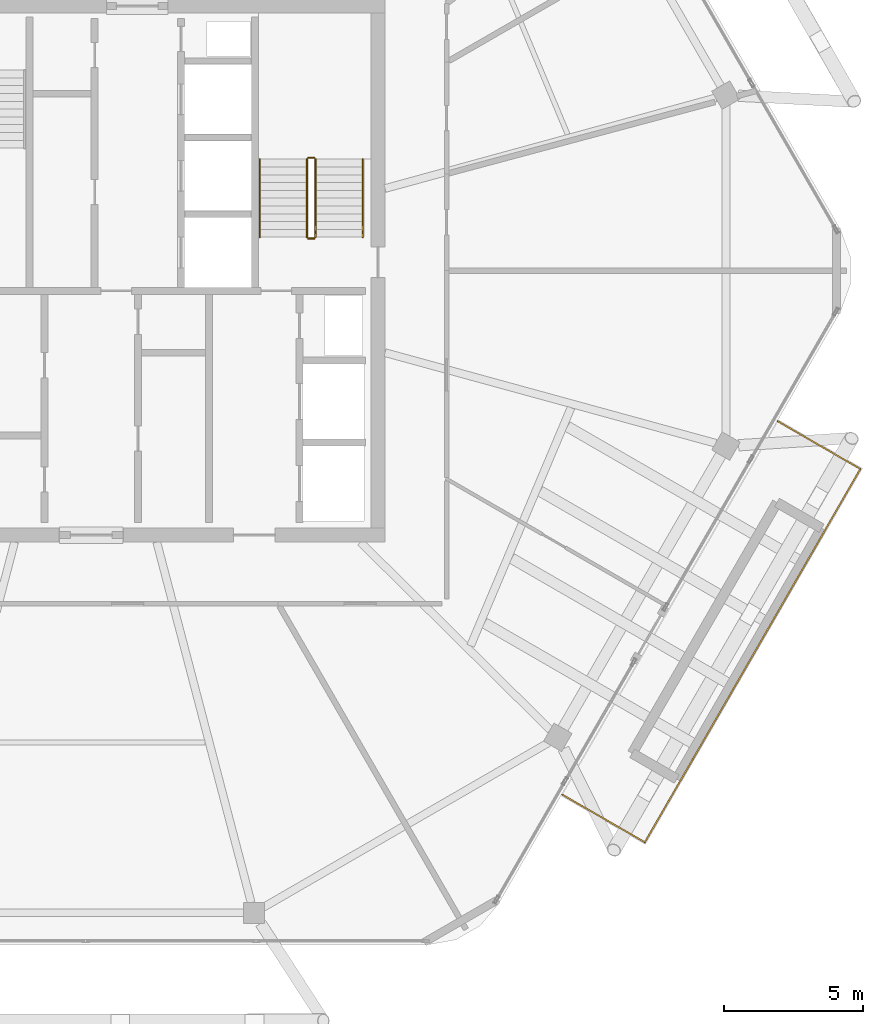
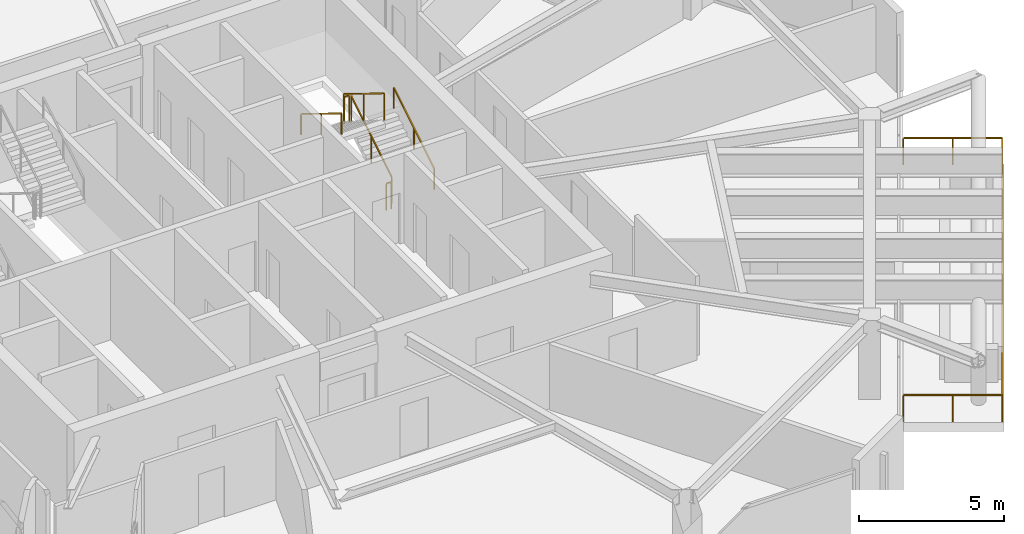
# One storey, part 22 of 23: 7 railings.
"""IFC4 building model written with IfcOpenShell, lengths in metres."""

from ifc_helpers import new_model, si_unit, direction, frame, origin, origin_2d, place, context, subcontext, project, spatial, rectangle, extrude, material, type_object, element, save


model = new_model("IFC4")

# Units and contexts
model_context = context("Model", 3, precision=1e-05, world=origin(), true_north=direction((0.0, 1.0)))
body_context = subcontext(model_context, "Body", "Model", "MODEL_VIEW")
ifc_project = project(units=[si_unit("LENGTHUNIT", "METRE"), si_unit("AREAUNIT", "SQUARE_METRE"), si_unit("VOLUMEUNIT", "CUBIC_METRE"), si_unit("PLANEANGLEUNIT", "RADIAN"), si_unit("MASSUNIT", "GRAM", prefix="KILO")], contexts=[model_context])

# Site, building, storey
site_placement = place(None, origin())
site = spatial("IfcSite", under=ifc_project, at=site_placement, CompositionType="ELEMENT")
building_placement = place(site_placement, origin())
building = spatial("IfcBuilding", under=site, at=building_placement, Name="Zuhravey Tower", CompositionType="ELEMENT")
storey_placement = place(building_placement, frame((0.0, 0.0, 353.800048828125)))
storey = spatial("IfcBuildingStorey", under=building, at=storey_placement, Name="L90", CompositionType="ELEMENT", Elevation=353.800048828125)

# Railings
ifc_material_1 = material(Name="Stainless steel 316 and laminated glass", Category="steel")
railing_type_1 = type_object("IfcRailingType", Name="Balcony & Terrace Guardrail 1150", PredefinedType="BALUSTRADE", material=ifc_material_1)
railing_1_placement = place(storey_placement, frame((53.113037109375, 13.182373046875, 0.0)))
element("IfcRailing", 1, at=railing_1_placement, inside=storey, type_object=railing_type_1, Name="L90 Sky-Pool Terrace Guardrail GR1", PredefinedType="BALUSTRADE", context=body_context, shape_type="SweptSolid", body=[
    extrude(rectangle(XDim=0.048095703125, YDim=0.048095703125, at=origin_2d()), frame((0.001708984375, -0.0009765625, 1.1259765625), z_axis=(0.866032454348, -0.499987787867, 0.0), x_axis=(0.499987787867, 0.866032454348, 0.0)), (0.0, 0.0, 1.0), 3.4208984375),
    extrude(rectangle(XDim=0.048095703125, YDim=0.048095703125, at=origin_2d()), frame((2.967041015625, -1.710693359375, 1.1259765625), z_axis=(0.500001411958, 0.866024588589, 0.0), x_axis=(-0.866024588589, 0.500001411958, 0.0)), (0.0, 0.0, 1.0), 15.475830078125),
    extrude(rectangle(XDim=0.048095703125, YDim=0.048095703125, at=origin_2d()), frame((10.704345703125, 11.694580078125, 1.1259765625), z_axis=(-0.866032454348, 0.499987787867, 0.0), x_axis=(-0.499987787867, -0.866032454348, 0.0)), (0.0, 0.0, 1.0), 3.4208984375),
    extrude(rectangle(XDim=0.0419921875, YDim=0.0419921875, at=origin_2d()), origin(), (0.0, 0.0, 1.0), 1.099853515625),
    extrude(rectangle(XDim=0.0419921875, YDim=0.0419921875, at=origin_2d()), frame((1.48291015625, -0.856201171875, 0.0)), (0.0, 0.0, 1.0), 1.099853515625),
    extrude(rectangle(XDim=0.0419921875, YDim=0.0419921875, at=origin_2d()), frame((2.966064453125, -1.71240234375, 0.0)), (0.0, 0.0, 1.0), 1.099853515625),
    extrude(rectangle(XDim=0.0419921875, YDim=0.0419921875, at=origin_2d()), frame((3.826171875, -0.222900390625, 0.0)), (0.0, 0.0, 1.0), 1.099853515625),
    extrude(rectangle(XDim=0.0419921875, YDim=0.0419921875, at=origin_2d()), frame((4.68603515625, 1.2666015625, 0.0)), (0.0, 0.0, 1.0), 1.099853515625),
    extrude(rectangle(XDim=0.0419921875, YDim=0.0419921875, at=origin_2d()), frame((5.546142578125, 2.75634765625, 0.0)), (0.0, 0.0, 1.0), 1.099853515625),
    extrude(rectangle(XDim=0.0419921875, YDim=0.0419921875, at=origin_2d()), frame((6.406005859375, 4.245849609375, 0.0)), (0.0, 0.0, 1.0), 1.099853515625),
    extrude(rectangle(XDim=0.0419921875, YDim=0.0419921875, at=origin_2d()), frame((7.26611328125, 5.7353515625, 0.0)), (0.0, 0.0, 1.0), 1.099853515625),
    extrude(rectangle(XDim=0.0419921875, YDim=0.0419921875, at=origin_2d()), frame((8.1259765625, 7.224853515625, 0.0)), (0.0, 0.0, 1.0), 1.099853515625),
    extrude(rectangle(XDim=0.0419921875, YDim=0.0419921875, at=origin_2d()), frame((8.986083984375, 8.714599609375, 0.0)), (0.0, 0.0, 1.0), 1.099853515625),
    extrude(rectangle(XDim=0.0419921875, YDim=0.0419921875, at=origin_2d()), frame((9.845947265625, 10.2041015625, 0.0)), (0.0, 0.0, 1.0), 1.099853515625),
    extrude(rectangle(XDim=0.0419921875, YDim=0.0419921875, at=origin_2d()), frame((10.7060546875, 11.693603515625, 0.0)), (0.0, 0.0, 1.0), 1.099853515625),
    extrude(rectangle(XDim=0.0419921875, YDim=0.0419921875, at=origin_2d()), frame((9.22314453125, 12.5498046875, 0.0)), (0.0, 0.0, 1.0), 1.099853515625),
    extrude(rectangle(XDim=0.0419921875, YDim=0.0419921875, at=origin_2d()), frame((7.739990234375, 13.406005859375, 0.0)), (0.0, 0.0, 1.0), 1.099853515625),
])
ifc_material_2 = material(Name="Brushed stainless steel", Category="steel")
railing_type_2 = type_object("IfcRailingType", Name="Stair Wall Handrail 900", PredefinedType="HANDRAIL", material=ifc_material_2)
railing_2_placement = place(storey_placement, frame((45.949951171875, 33.199951171875, 0.172607421875)))
element("IfcRailing", 2, at=railing_2_placement, inside=storey, type_object=railing_type_2, Name="L90 ST2 stair handrail 1", PredefinedType="HANDRAIL", context=body_context, shape_type="SweptSolid", body=[
    extrude(rectangle(XDim=0.048095703125, YDim=0.048095703125, at=origin_2d()), frame((0.0, 0.001708984375, 0.876953125), z_axis=(0.0, 0.851089632645, 0.525020415988), x_axis=(-1.0, 0.0, 0.0)), (0.0, 0.0, 1.0), 3.285888671875),
    extrude(rectangle(XDim=0.0419921875, YDim=0.0419921875, at=origin_2d()), origin(), (0.0, 0.0, 1.0), 0.849853515625),
    extrude(rectangle(XDim=0.0419921875, YDim=0.0419921875, at=origin_2d()), frame((0.0, 1.39990234375, 0.86376953125)), (0.0, 0.0, 1.0), 0.849853515625),
    extrude(rectangle(XDim=0.0419921875, YDim=0.0419921875, at=origin_2d()), frame((0.0, 2.800048828125, 1.727294921875)), (0.0, 0.0, 1.0), 0.849853515625),
])
railing_3_placement = place(storey_placement, frame((42.25, 36.0, 2.07275390625)))
element("IfcRailing", 3, at=railing_3_placement, inside=storey, type_object=railing_type_2, Name="L90 ST2 stair handrail 2", PredefinedType="HANDRAIL", context=body_context, shape_type="SweptSolid", body=[
    extrude(rectangle(XDim=0.048095703125, YDim=0.048095703125, at=origin_2d()), frame((0.0, -0.001708984375, 0.876953125), z_axis=(0.0, -0.851089632645, 0.525020415988), x_axis=(1.0, 0.0, 0.0)), (0.0, 0.0, 1.0), 3.285888671875),
    extrude(rectangle(XDim=0.0419921875, YDim=0.0419921875, at=origin_2d()), origin(), (0.0, 0.0, 1.0), 0.849853515625),
    extrude(rectangle(XDim=0.0419921875, YDim=0.0419921875, at=origin_2d()), frame((0.0, -1.39990234375, 0.86376953125)), (0.0, 0.0, 1.0), 0.849853515625),
    extrude(rectangle(XDim=0.0419921875, YDim=0.0419921875, at=origin_2d()), frame((0.0, -2.800048828125, 1.727294921875)), (0.0, 0.0, 1.0), 0.849853515625),
])
ifc_material_3 = material(Name="Painted tubular steel", Category="steel")
railing_type_3 = type_object("IfcRailingType", Name="Stair Well Guardrail 1150", PredefinedType="GUARDRAIL", material=ifc_material_3)
railing_4_placement = place(storey_placement, frame((44.25, 33.199951171875, 0.172607421875)))
element("IfcRailing", 4, at=railing_4_placement, inside=storey, type_object=railing_type_3, Name="L90 ST2 stair guard 1", PredefinedType="GUARDRAIL", context=body_context, shape_type="SweptSolid", body=[
    extrude(rectangle(XDim=0.048095703125, YDim=0.048095703125, at=origin_2d()), frame((0.0, 0.001708984375, 1.126953125), z_axis=(0.0, 0.851089632645, 0.525020415988), x_axis=(-1.0, 0.0, 0.0)), (0.0, 0.0, 1.0), 3.285888671875),
    extrude(rectangle(XDim=0.0419921875, YDim=0.0419921875, at=origin_2d()), origin(), (0.0, 0.0, 1.0), 1.099853515625),
    extrude(rectangle(XDim=0.0419921875, YDim=0.0419921875, at=origin_2d()), frame((0.0, 1.39990234375, 0.86376953125)), (0.0, 0.0, 1.0), 1.099853515625),
    extrude(rectangle(XDim=0.0419921875, YDim=0.0419921875, at=origin_2d()), frame((0.0, 2.800048828125, 1.727294921875)), (0.0, 0.0, 1.0), 1.099853515625),
])
railing_5_placement = place(storey_placement, frame((44.199951171875, 36.050048828125, 1.89990234375)))
element("IfcRailing", 5, at=railing_5_placement, inside=storey, type_object=railing_type_3, Name="L90 ST2 stair guard 2", PredefinedType="GUARDRAIL", context=body_context, shape_type="SweptSolid", body=[
    extrude(rectangle(XDim=0.048095703125, YDim=0.048095703125, at=origin_2d()), frame((-0.001953125, 0.0, 1.1259765625), z_axis=(-1.0, 0.0, 0.0), x_axis=(0.0, -1.0, 0.0)), (0.0, 0.0, 1.0), 0.196044921875),
    extrude(rectangle(XDim=0.0419921875, YDim=0.0419921875, at=origin_2d()), origin(), (0.0, 0.0, 1.0), 1.099853515625),
    extrude(rectangle(XDim=0.0419921875, YDim=0.0419921875, at=origin_2d()), frame((-0.199951171875, 0.0, 0.0)), (0.0, 0.0, 1.0), 1.099853515625),
])
railing_6_placement = place(storey_placement, frame((43.949951171875, 36.0, 2.07275390625)))
element("IfcRailing", 6, at=railing_6_placement, inside=storey, type_object=railing_type_3, Name="L90 ST2 stair guard 3", PredefinedType="GUARDRAIL", context=body_context, shape_type="SweptSolid", body=[
    extrude(rectangle(XDim=0.048095703125, YDim=0.048095703125, at=origin_2d()), frame((0.0, -0.001708984375, 1.126953125), z_axis=(0.0, -0.851089632645, 0.525020415988), x_axis=(1.0, 0.0, 0.0)), (0.0, 0.0, 1.0), 3.285888671875),
    extrude(rectangle(XDim=0.0419921875, YDim=0.0419921875, at=origin_2d()), origin(), (0.0, 0.0, 1.0), 1.099853515625),
    extrude(rectangle(XDim=0.0419921875, YDim=0.0419921875, at=origin_2d()), frame((0.0, -1.39990234375, 0.86376953125)), (0.0, 0.0, 1.0), 1.099853515625),
    extrude(rectangle(XDim=0.0419921875, YDim=0.0419921875, at=origin_2d()), frame((0.0, -2.800048828125, 1.727294921875)), (0.0, 0.0, 1.0), 1.099853515625),
])
railing_7_placement = place(storey_placement, frame((44.199951171875, 33.14990234375, 0.0)))
element("IfcRailing", 7, at=railing_7_placement, inside=storey, type_object=railing_type_3, Name="L90 ST2 stair guard 4", PredefinedType="GUARDRAIL", context=body_context, shape_type="SweptSolid", body=[
    extrude(rectangle(XDim=0.048095703125, YDim=0.048095703125, at=origin_2d()), frame((-0.001953125, 0.0, 1.1259765625), z_axis=(-1.0, 0.0, 0.0), x_axis=(0.0, -1.0, 0.0)), (0.0, 0.0, 1.0), 0.196044921875),
    extrude(rectangle(XDim=0.0419921875, YDim=0.0419921875, at=origin_2d()), origin(), (0.0, 0.0, 1.0), 1.099853515625),
    extrude(rectangle(XDim=0.0419921875, YDim=0.0419921875, at=origin_2d()), frame((-0.199951171875, 0.0, 0.0)), (0.0, 0.0, 1.0), 1.099853515625),
])

save(model, "model.ifc")
